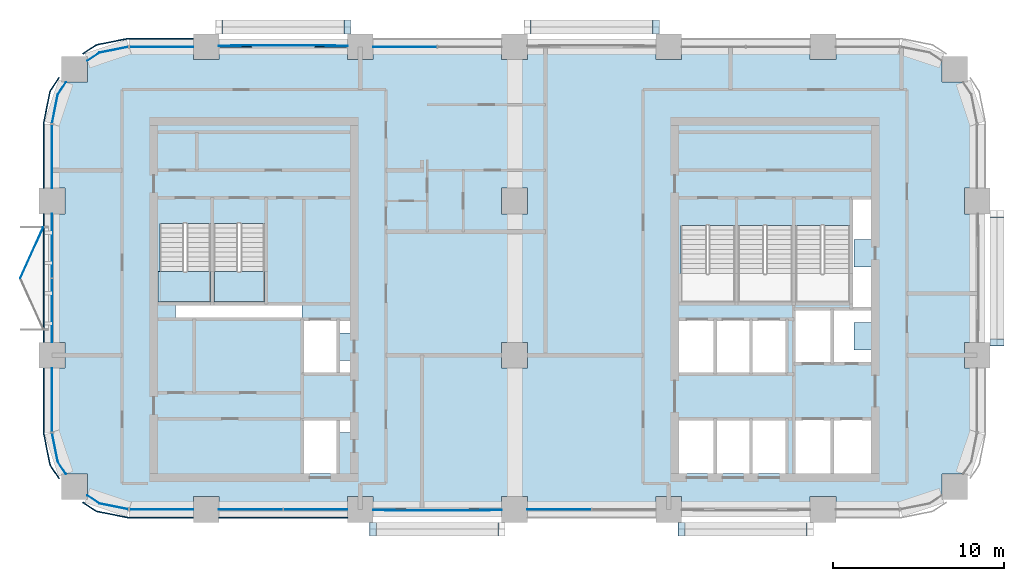
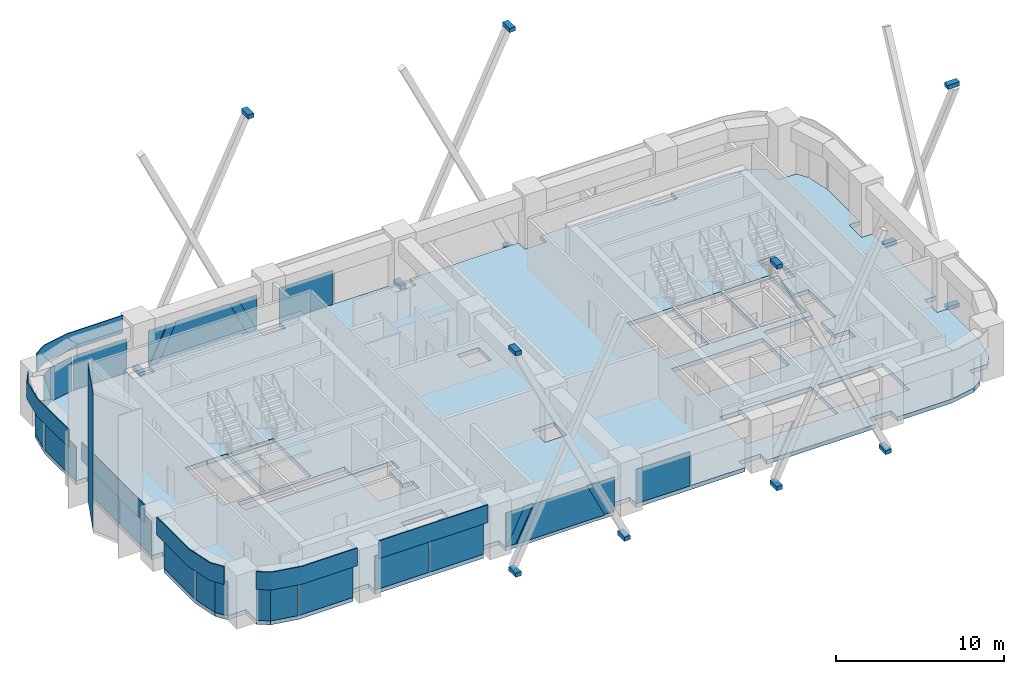
# One storey, part 6 of 13: 31 plates, 15 members, 3 slabs, 12 elements without a shape of their own.
"""IFC4 building model written with IfcOpenShell, lengths in metres."""

from ifc_helpers import new_model, si_unit, direction, frame, origin, origin_2d, place, context, subcontext, project, spatial, polyline, rectangle, outline, extrude, material, layer, layer_set, type_object, element, aggregate, save


model = new_model("IFC4")

# Units and contexts
model_context = context("Model", 3, precision=1e-05, world=origin(), true_north=direction((0.0, 1.0)))
body_context = subcontext(model_context, "Body", "Model", "MODEL_VIEW")
ifc_project = project(units=[si_unit("LENGTHUNIT", "METRE"), si_unit("AREAUNIT", "SQUARE_METRE"), si_unit("VOLUMEUNIT", "CUBIC_METRE"), si_unit("PLANEANGLEUNIT", "RADIAN"), si_unit("MASSUNIT", "GRAM", prefix="KILO")], contexts=[model_context])

# Site, building, storey
site_placement = place(None, origin())
site = spatial("IfcSite", under=ifc_project, at=site_placement, CompositionType="ELEMENT")
building_placement = place(site_placement, origin())
building = spatial("IfcBuilding", under=site, at=building_placement, Name="Tessera Arch", CompositionType="ELEMENT")
storey_placement = place(building_placement, frame((0.0, 0.0, 166.10009765625)))
storey = spatial("IfcBuildingStorey", under=building, at=storey_placement, Name="L39", CompositionType="ELEMENT", Elevation=166.10009765625)

# Members
ifc_material_1 = material(Name="Steel A572 Gr50", Category="steel")
ifc_layer_1 = layer(ifc_material_1, 0.050048828125)
ifc_layer_set_1 = layer_set([ifc_layer_1], Name="Node block Steel A572 Gr50")
member_type = type_object("IfcMemberType", Name="Node block Steel A572 Gr50", PredefinedType="PLATE", material=ifc_layer_set_1)
for number, where, z_axis, x_axis, name in (
    (1, (55.156494140625, 44.25, -1.2109375), (0.0, 0.0, 1.0), (0.0, 1.0, 0.0), "Node block seat E54.27-0 1 L39"),
    (2, (55.156494140625, 36.75, -1.2109375), (0.0, 0.0, 1.0), (0.0, 1.0, 0.0), "Node block seat E54.27-0 2 L39"),
    (3, (55.156494140625, 36.75, 14.91064453125), (0.0, 0.0, 1.0), (0.0, 1.0, 0.0), "Node block head E54.27-0 B L39"),
    (4, (27.75, 55.156494140625, -1.2109375), (0.0, 0.0, 1.0), (-1.0, 0.0, 0.0), "Node block seat N54.0-2 1 L39"),
    (5, (35.25, 55.156494140625, -1.2109375), (0.0, 0.0, 1.0), (-1.0, 0.0, 0.0), "Node block seat N54.0-2 2 L39"),
    (6, (35.25, 55.156494140625, 14.91064453125), (0.0, 0.0, 1.0), (-1.0, 0.0, 0.0), "Node block head N54.0-2 B L39"),
    (7, (9.75, 55.156494140625, -1.2109375), (0.0, 0.0, 1.0), (-1.0, 0.0, 0.0), "Node block seat N54.0-4 1 L39"),
    (8, (17.25, 55.156494140625, -1.2109375), (0.0, 0.0, 1.0), (-1.0, 0.0, 0.0), "Node block seat N54.0-4 2 L39"),
    (9, (17.25, 55.156494140625, 14.91064453125), (0.0, 0.0, 1.0), (-1.0, 0.0, 0.0), "Node block head N54.0-4 B L39"),
    (10, (26.25, 25.843505859375, -1.2109375), (0.0, 0.0, 1.0), (1.0, 0.0, 0.0), "Node block seat S27.0-2 1 L39"),
    (11, (18.75, 25.843505859375, -1.2109375), (0.0, 0.0, 1.0), (1.0, 0.0, 0.0), "Node block seat S27.0-2 2 L39"),
    (12, (18.75, 25.843505859375, 14.91064453125), (0.0, 0.0, 1.0), (1.0, 0.0, 0.0), "Node block head S27.0-2 B L39"),
    (13, (44.25, 25.843505859375, -1.2109375), (0.0, 0.0, 1.0), (1.0, 0.0, 0.0), "Node block seat S27.0-4 1 L39"),
    (14, (36.75, 25.843505859375, -1.2109375), (0.0, 0.0, 1.0), (1.0, 0.0, 0.0), "Node block seat S27.0-4 2 L39"),
    (15, (36.75, 25.843505859375, 14.91064453125), (0.0, 0.0, 1.0), (1.0, 0.0, 0.0), "Node block head S27.0-4 B L39"),
):
    element("IfcMember", number, at=place(storey_placement, frame(where, z_axis=z_axis, x_axis=x_axis)), inside=storey, type_object=member_type, Name=name, PredefinedType="PLATE", context=body_context, shape_type="SweptSolid", body=[
        extrude(rectangle(XDim=0.406494140625, YDim=0.812744140625, at=origin_2d()), origin(), (0.0, 0.0, 1.0), 0.300048828125),
    ])

# Curtain wall, plate
ifc_material_2 = material(Name="CW1 curtain wall")
curtain_wall_type_1 = type_object("IfcCurtainWallType", Name="CW1 curtain wall", PredefinedType="NOTDEFINED", material=ifc_material_2)
curtain_wall_1_placement = place(storey_placement, origin())
curtain_wall_1 = element("IfcCurtainWall", 16, at=curtain_wall_1_placement, inside=storey, type_object=curtain_wall_type_1, Name="CW1 curtain wall N54.0/3 L39", PredefinedType="NOTDEFINED")
ifc_material_3 = material(Name="Clear low-e glass", Category="glass")
ifc_material_4 = material(Name="Clear low-e glass", Category="glass")
ifc_layer_2 = layer(ifc_material_4, 0.028076171875)
ifc_layer_set_2 = layer_set([ifc_layer_2], Name="CW1 glass panel")
plate_type_1 = type_object("IfcPlateType", Name="CW1 glass panel", PredefinedType="CURTAIN_PANEL", material=ifc_layer_set_2)
plate_1_placement = place(storey_placement, frame((20.610107421875, 54.0, 0.0), z_axis=(0.0, 0.0, 1.0), x_axis=(-1.0, 0.0, 0.0)))
plate_1 = element("IfcPlate", 17, at=plate_1_placement, type_object=plate_type_1, material=ifc_material_3, Name="CW1 glass panel N54.0/3 1.2.1", PredefinedType="CURTAIN_PANEL", context=body_context, shape_type="SweptSolid", body=[
    extrude(rectangle(XDim=3.719970703125, YDim=0.028076171875, at=origin_2d()), origin(), (0.0, 0.0, 1.0), 2.5),
])
aggregate(curtain_wall_1, [plate_1])

# Curtain wall, plates
curtain_wall_2_placement = place(storey_placement, origin())
curtain_wall_2 = element("IfcCurtainWall", 18, at=curtain_wall_2_placement, inside=storey, type_object=curtain_wall_type_1, Name="CW1 curtain wall W0.27/1 L39", PredefinedType="NOTDEFINED")
plate_2_placement = place(storey_placement, frame((0.0, 42.389892578125, 0.0), z_axis=(0.0, 0.0, 1.0), x_axis=(0.0, -1.0, 0.0)))
plate_2 = element("IfcPlate", 19, at=plate_2_placement, type_object=plate_type_1, material=ifc_material_3, Name="CW1 glass panel W0.27/1 1.1.1", PredefinedType="CURTAIN_PANEL", context=body_context, shape_type="SweptSolid", body=[
    extrude(rectangle(XDim=3.719970703125, YDim=0.028076171875, at=origin_2d()), origin(), (0.0, 0.0, 1.0), 2.5),
])
plate_3_placement = place(storey_placement, frame((0.0, 38.610107421875, 0.0), z_axis=(0.0, 0.0, 1.0), x_axis=(0.0, -1.0, 0.0)))
plate_3 = element("IfcPlate", 20, at=plate_3_placement, type_object=plate_type_1, material=ifc_material_3, Name="CW1 glass panel W0.27/1 1.2.1", PredefinedType="CURTAIN_PANEL", context=body_context, shape_type="SweptSolid", body=[
    extrude(rectangle(XDim=3.719970703125, YDim=0.028076171875, at=origin_2d()), origin(), (0.0, 0.0, 1.0), 2.5),
])

curtain_wall_3_placement = place(storey_placement, origin())
curtain_wall_3 = element("IfcCurtainWall", 21, at=curtain_wall_3_placement, inside=storey, type_object=curtain_wall_type_1, Name="CW1 curtain wall S27.0/1 L39", PredefinedType="NOTDEFINED")
plate_4_placement = place(storey_placement, frame((11.610107421875, 27.0, 0.0), z_axis=(0.0, 0.0, 1.0), x_axis=(1.0, 0.0, 0.0)))
plate_4 = element("IfcPlate", 22, at=plate_4_placement, type_object=plate_type_1, material=ifc_material_3, Name="CW1 glass panel S27.0/1 1.1.1", PredefinedType="CURTAIN_PANEL", context=body_context, shape_type="SweptSolid", body=[
    extrude(rectangle(XDim=3.719970703125, YDim=0.028076171875, at=origin_2d()), origin(), (0.0, 0.0, 1.0), 2.5),
])
plate_5_placement = place(storey_placement, frame((15.389892578125, 27.0, 0.0), z_axis=(0.0, 0.0, 1.0), x_axis=(1.0, 0.0, 0.0)))
plate_5 = element("IfcPlate", 23, at=plate_5_placement, type_object=plate_type_1, material=ifc_material_3, Name="CW1 glass panel S27.0/1 1.2.1", PredefinedType="CURTAIN_PANEL", context=body_context, shape_type="SweptSolid", body=[
    extrude(rectangle(XDim=3.719970703125, YDim=0.028076171875, at=origin_2d()), origin(), (0.0, 0.0, 1.0), 2.5),
])

# Curtain wall, plate
curtain_wall_4_placement = place(storey_placement, origin())
curtain_wall_4 = element("IfcCurtainWall", 24, at=curtain_wall_4_placement, inside=storey, type_object=curtain_wall_type_1, Name="CW1 curtain wall S27.0/3 L39", PredefinedType="NOTDEFINED")
plate_6_placement = place(storey_placement, frame((29.610107421875, 27.0, 0.0), z_axis=(0.0, 0.0, 1.0), x_axis=(1.0, 0.0, 0.0)))
plate_6 = element("IfcPlate", 25, at=plate_6_placement, type_object=plate_type_1, material=ifc_material_3, Name="CW1 glass panel S27.0/3 1.1.1", PredefinedType="CURTAIN_PANEL", context=body_context, shape_type="SweptSolid", body=[
    extrude(rectangle(XDim=3.719970703125, YDim=0.028076171875, at=origin_2d()), origin(), (0.0, 0.0, 1.0), 2.5),
])
aggregate(curtain_wall_4, [plate_6])

# Plate
ifc_material_5 = material(Name="Pale anodised aluminium panel", Category="aluminium")
ifc_layer_3 = layer(ifc_material_5, 0.06005859375)
ifc_layer_set_3 = layer_set([ifc_layer_3], Name="CW1 spandrel panel")
plate_type_2 = type_object("IfcPlateType", Name="CW1 spandrel panel", PredefinedType="CURTAIN_PANEL", material=ifc_layer_set_3)
plate_7_placement = place(storey_placement, frame((-0.47998046875, 40.5, 2.60009765625), z_axis=(0.0, 0.0, 1.0), x_axis=(0.0, -1.0, 0.0)))
plate_7 = element("IfcPlate", 26, at=plate_7_placement, type_object=plate_type_2, Name="CW1 spandrel panel W0.27/1", PredefinedType="CURTAIN_PANEL", context=body_context, shape_type="SweptSolid", body=[
    extrude(rectangle(XDim=7.5, YDim=0.06005859375, at=origin_2d()), origin(), (0.0, 0.0, 1.0), 1.300048828125),
])

aggregate(curtain_wall_2, [plate_2, plate_3, plate_7])

plate_8_placement = place(storey_placement, frame((13.5, 26.52001953125, 2.60009765625), z_axis=(0.0, 0.0, 1.0), x_axis=(1.0, 0.0, 0.0)))
plate_8 = element("IfcPlate", 27, at=plate_8_placement, type_object=plate_type_2, Name="CW1 spandrel panel S27.0/1", PredefinedType="CURTAIN_PANEL", context=body_context, shape_type="SweptSolid", body=[
    extrude(rectangle(XDim=7.5, YDim=0.06005859375, at=origin_2d()), origin(), (0.0, 0.0, 1.0), 1.300048828125),
])

aggregate(curtain_wall_3, [plate_4, plate_5, plate_8])

# Curtain wall, plates
ifc_material_6 = material(Name="CW2 curtain wall")
curtain_wall_type_2 = type_object("IfcCurtainWallType", Name="CW2 curtain wall", PredefinedType="NOTDEFINED", material=ifc_material_6)
curtain_wall_5_placement = place(storey_placement, origin())
curtain_wall_5 = element("IfcCurtainWall", 28, at=curtain_wall_5_placement, inside=storey, type_object=curtain_wall_type_2, Name="CW2 curtain wall N54.0/5 L39", PredefinedType="NOTDEFINED")
ifc_material_7 = material(Name="Clear low-e glass", Category="glass")
ifc_layer_4 = layer(ifc_material_7, 0.028076171875)
ifc_layer_set_4 = layer_set([ifc_layer_4], Name="CW2 glass panel")
plate_type_3 = type_object("IfcPlateType", Name="CW2 glass panel", PredefinedType="CURTAIN_PANEL", material=ifc_layer_set_4)
plate_9_placement = place(storey_placement, frame((6.39501953125, 54.0, 0.0), z_axis=(0.0, 0.0, 1.0), x_axis=(-1.0, 0.0, 0.0)))
plate_9 = element("IfcPlate", 29, at=plate_9_placement, type_object=plate_type_3, material=ifc_material_3, Name="CW2 glass panel N54.0/5 1.1", PredefinedType="CURTAIN_PANEL", context=body_context, shape_type="SweptSolid", body=[
    extrude(rectangle(XDim=3.7099609375, YDim=0.028076171875, at=origin_2d()), origin(), (0.0, 0.0, 1.0), 2.5),
])
plate_10_placement = place(storey_placement, origin())
plate_10 = element("IfcPlate", 30, at=plate_10_placement, type_object=plate_type_3, material=ifc_material_3, Name="CW2 curved glass panel N54.0/5 2.1", PredefinedType="CURTAIN_PANEL", context=body_context, shape_type="SweptSolid", body=[
    extrude(outline(polyline([(2.783447265625, 53.644287109375), (4.46337890625, 53.978515625), (4.4580078125, 54.005859375), (2.7724609375, 53.670654296875), (2.060302734375, 53.19482421875), (2.07568359375, 53.17138671875), (2.783447265625, 53.644287109375)])), origin(), (0.0, 0.0, 1.0), 2.5),
])

curtain_wall_6_placement = place(storey_placement, origin())
curtain_wall_6 = element("IfcCurtainWall", 31, at=curtain_wall_6_placement, inside=storey, type_object=curtain_wall_type_2, Name="CW2 curtain wall W0.27/0 L39", PredefinedType="NOTDEFINED")
plate_11_placement = place(storey_placement, frame((0.0, 47.60498046875, 0.0), z_axis=(0.0, 0.0, 1.0), x_axis=(0.0, -1.0, 0.0)))
plate_11 = element("IfcPlate", 32, at=plate_11_placement, type_object=plate_type_3, material=ifc_material_3, Name="CW2 glass panel W0.27/0 1.1", PredefinedType="CURTAIN_PANEL", context=body_context, shape_type="SweptSolid", body=[
    extrude(rectangle(XDim=3.7099609375, YDim=0.028076171875, at=origin_2d()), origin(), (0.0, 0.0, 1.0), 2.5),
])
plate_12_placement = place(storey_placement, origin())
plate_12 = element("IfcPlate", 33, at=plate_12_placement, type_object=plate_type_3, material=ifc_material_3, Name="CW2 curved glass panel W0.27/0 2.1", PredefinedType="CURTAIN_PANEL", context=body_context, shape_type="SweptSolid", body=[
    extrude(outline(polyline([(0.355712890625, 51.216552734375), (0.82861328125, 51.92431640625), (0.80517578125, 51.939697265625), (0.329345703125, 51.2275390625), (-0.005859375, 49.5419921875), (0.021484375, 49.53662109375), (0.355712890625, 51.216552734375)])), origin(), (0.0, 0.0, 1.0), 2.5),
])

curtain_wall_7_placement = place(storey_placement, origin())
curtain_wall_7 = element("IfcCurtainWall", 34, at=curtain_wall_7_placement, inside=storey, type_object=curtain_wall_type_2, Name="CW2 curtain wall W0.27/2 L39", PredefinedType="NOTDEFINED")
plate_13_placement = place(storey_placement, frame((0.0, 33.39501953125, 0.0), z_axis=(0.0, 0.0, 1.0), x_axis=(0.0, -1.0, 0.0)))
plate_13 = element("IfcPlate", 35, at=plate_13_placement, type_object=plate_type_3, material=ifc_material_3, Name="CW2 glass panel W0.27/2 1.1", PredefinedType="CURTAIN_PANEL", context=body_context, shape_type="SweptSolid", body=[
    extrude(rectangle(XDim=3.7099609375, YDim=0.028076171875, at=origin_2d()), origin(), (0.0, 0.0, 1.0), 2.5),
])
plate_14_placement = place(storey_placement, origin())
plate_14 = element("IfcPlate", 36, at=plate_14_placement, type_object=plate_type_3, material=ifc_material_3, Name="CW2 curved glass panel W0.27/2 2.1", PredefinedType="CURTAIN_PANEL", context=body_context, shape_type="SweptSolid", body=[
    extrude(outline(polyline([(0.355712890625, 29.783447265625), (0.021484375, 31.46337890625), (-0.005859375, 31.4580078125), (0.329345703125, 29.7724609375), (0.80517578125, 29.060302734375), (0.82861328125, 29.07568359375), (0.355712890625, 29.783447265625)])), origin(), (0.0, 0.0, 1.0), 2.5),
])

curtain_wall_8_placement = place(storey_placement, origin())
curtain_wall_8 = element("IfcCurtainWall", 37, at=curtain_wall_8_placement, inside=storey, type_object=curtain_wall_type_2, Name="CW2 curtain wall S27.0/0 L39", PredefinedType="NOTDEFINED")
plate_15_placement = place(storey_placement, frame((6.39501953125, 27.0, 0.0), z_axis=(0.0, 0.0, 1.0), x_axis=(1.0, 0.0, 0.0)))
plate_15 = element("IfcPlate", 38, at=plate_15_placement, type_object=plate_type_3, material=ifc_material_3, Name="CW2 glass panel S27.0/0 1.1", PredefinedType="CURTAIN_PANEL", context=body_context, shape_type="SweptSolid", body=[
    extrude(rectangle(XDim=3.7099609375, YDim=0.028076171875, at=origin_2d()), origin(), (0.0, 0.0, 1.0), 2.5),
])
plate_16_placement = place(storey_placement, origin())
plate_16 = element("IfcPlate", 39, at=plate_16_placement, type_object=plate_type_3, material=ifc_material_3, Name="CW2 curved glass panel S27.0/0 2.1", PredefinedType="CURTAIN_PANEL", context=body_context, shape_type="SweptSolid", body=[
    extrude(outline(polyline([(2.783447265625, 27.355712890625), (2.07568359375, 27.82861328125), (2.060302734375, 27.80517578125), (2.7724609375, 27.329345703125), (4.4580078125, 26.994140625), (4.46337890625, 27.021484375), (2.783447265625, 27.355712890625)])), origin(), (0.0, 0.0, 1.0), 2.5),
])

# Plate
ifc_material_8 = material(Name="Pale anodised aluminium panel", Category="aluminium")
ifc_layer_5 = layer(ifc_material_8, 0.06005859375)
ifc_layer_set_5 = layer_set([ifc_layer_5], Name="CW2 spandrel panel")
plate_type_4 = type_object("IfcPlateType", Name="CW2 spandrel panel", PredefinedType="CURTAIN_PANEL", material=ifc_layer_set_5)
plate_17_placement = place(storey_placement, frame((0.0, 0.0, 2.599853515625)))
plate_17 = element("IfcPlate", 40, at=plate_17_placement, type_object=plate_type_4, Name="CW2 spandrel panel N54.0/5", PredefinedType="CURTAIN_PANEL", context=body_context, shape_type="SweptSolid", body=[
    extrude(outline(polyline([(4.500732421875, 54.449951171875), (8.25, 54.449951171875), (8.25, 54.510009765625), (4.499267578125, 54.510009765625), (4.449951171875, 54.507568359375), (4.401123046875, 54.500244140625), (2.677734375, 54.157470703125), (2.6298828125, 54.1455078125), (2.582763671875, 54.128662109375), (2.537353515625, 54.107421875), (2.4951171875, 54.08203125), (1.78466796875, 53.607177734375), (1.81787109375, 53.55712890625), (2.52734375, 54.03125), (2.565673828125, 54.054443359375), (2.605712890625, 54.0732421875), (2.647216796875, 54.088134765625), (2.69091796875, 54.09912109375), (4.411376953125, 54.441162109375), (4.455810546875, 54.44775390625), (4.500732421875, 54.449951171875)])), origin(), (0.0, 0.0, 1.0), 1.300048828125),
])

aggregate(curtain_wall_5, [plate_9, plate_10, plate_17])

plate_18_placement = place(storey_placement, frame((0.0, 0.0, 2.599853515625)))
plate_18 = element("IfcPlate", 41, at=plate_18_placement, type_object=plate_type_4, Name="CW2 spandrel panel W0.27/0", PredefinedType="CURTAIN_PANEL", context=body_context, shape_type="SweptSolid", body=[
    extrude(outline(polyline([(-0.03125, 51.47265625), (0.44287109375, 52.18212890625), (0.392822265625, 52.21533203125), (-0.08203125, 51.5048828125), (-0.107421875, 51.462646484375), (-0.128662109375, 51.417236328125), (-0.1455078125, 51.3701171875), (-0.157470703125, 51.322265625), (-0.500244140625, 49.598876953125), (-0.507568359375, 49.550048828125), (-0.510009765625, 49.500732421875), (-0.510009765625, 45.75), (-0.449951171875, 45.75), (-0.449951171875, 49.499267578125), (-0.44775390625, 49.544189453125), (-0.441162109375, 49.588623046875), (-0.09912109375, 51.30908203125), (-0.088134765625, 51.352783203125), (-0.0732421875, 51.394287109375), (-0.054443359375, 51.434326171875), (-0.03125, 51.47265625)])), origin(), (0.0, 0.0, 1.0), 1.300048828125),
])

aggregate(curtain_wall_6, [plate_11, plate_12, plate_18])

plate_19_placement = place(storey_placement, frame((0.0, 0.0, 2.599853515625)))
plate_19 = element("IfcPlate", 42, at=plate_19_placement, type_object=plate_type_4, Name="CW2 spandrel panel W0.27/2", PredefinedType="CURTAIN_PANEL", context=body_context, shape_type="SweptSolid", body=[
    extrude(outline(polyline([(-0.449951171875, 31.500732421875), (-0.449951171875, 35.25), (-0.510009765625, 35.25), (-0.510009765625, 31.499267578125), (-0.507568359375, 31.449951171875), (-0.500244140625, 31.401123046875), (-0.157470703125, 29.677734375), (-0.1455078125, 29.6298828125), (-0.128662109375, 29.582763671875), (-0.107421875, 29.537353515625), (-0.08203125, 29.4951171875), (0.392822265625, 28.78466796875), (0.44287109375, 28.81787109375), (-0.03125, 29.52734375), (-0.054443359375, 29.565673828125), (-0.0732421875, 29.605712890625), (-0.088134765625, 29.647216796875), (-0.09912109375, 29.69091796875), (-0.441162109375, 31.411376953125), (-0.44775390625, 31.455810546875), (-0.449951171875, 31.500732421875)])), origin(), (0.0, 0.0, 1.0), 1.300048828125),
])

aggregate(curtain_wall_7, [plate_13, plate_14, plate_19])

plate_20_placement = place(storey_placement, frame((0.0, 0.0, 2.599853515625)))
plate_20 = element("IfcPlate", 43, at=plate_20_placement, type_object=plate_type_4, Name="CW2 spandrel panel S27.0/0", PredefinedType="CURTAIN_PANEL", context=body_context, shape_type="SweptSolid", body=[
    extrude(outline(polyline([(2.52734375, 26.96875), (1.81787109375, 27.44287109375), (1.78466796875, 27.392822265625), (2.4951171875, 26.91796875), (2.537353515625, 26.892578125), (2.582763671875, 26.871337890625), (2.6298828125, 26.8544921875), (2.677734375, 26.842529296875), (4.401123046875, 26.499755859375), (4.449951171875, 26.492431640625), (4.499267578125, 26.489990234375), (8.25, 26.489990234375), (8.25, 26.550048828125), (4.500732421875, 26.550048828125), (4.455810546875, 26.55224609375), (4.411376953125, 26.558837890625), (2.69091796875, 26.90087890625), (2.647216796875, 26.911865234375), (2.605712890625, 26.9267578125), (2.565673828125, 26.945556640625), (2.52734375, 26.96875)])), origin(), (0.0, 0.0, 1.0), 1.300048828125),
])

aggregate(curtain_wall_8, [plate_15, plate_16, plate_20])

# Curtain wall, plates
ifc_material_9 = material(Name="CW3 curtain wall")
curtain_wall_type_3 = type_object("IfcCurtainWallType", Name="CW3 curtain wall", PredefinedType="NOTDEFINED", material=ifc_material_9)
curtain_wall_9_placement = place(storey_placement, origin())
curtain_wall_9 = element("IfcCurtainWall", 44, at=curtain_wall_9_placement, inside=storey, type_object=curtain_wall_type_3, Name="CW3 curtain wall N54.0/4 L39", PredefinedType="NOTDEFINED")
ifc_material_10 = material(Name="Pale anodised aluminium panel", Category="aluminium")
ifc_layer_6 = layer(ifc_material_10, 0.06005859375)
ifc_layer_set_6 = layer_set([ifc_layer_6], Name="CW3 diagonal panel")
plate_type_5 = type_object("IfcPlateType", Name="CW3 diagonal panel", PredefinedType="CURTAIN_PANEL", material=ifc_layer_set_6)
plate_21_placement = place(storey_placement, frame((11.016357421875, 54.030029296875, 2.5), z_axis=(0.0, 1.0, 0.0), x_axis=(1.0, 0.0, 0.0)))
plate_21 = element("IfcPlate", 45, at=plate_21_placement, type_object=plate_type_5, Name="CW3 diagonal panel N54.0/4 1", PredefinedType="CURTAIN_PANEL", context=body_context, shape_type="SweptSolid", body=[
    extrude(outline(polyline([(0.0, 0.0), (0.640380859375, 0.0), (-0.5615234375, 2.5), (-1.201904296875, 2.5), (0.0, 0.0)])), origin(), (0.0, 0.0, -1.0), 0.06005859375),
])
plate_22_placement = place(storey_placement, frame((15.34326171875, 54.030029296875, 2.5), z_axis=(0.0, 1.0, 0.0), x_axis=(1.0, 0.0, 0.0)))
plate_22 = element("IfcPlate", 46, at=plate_22_placement, type_object=plate_type_5, Name="CW3 diagonal panel N54.0/4 2", PredefinedType="CURTAIN_PANEL", context=body_context, shape_type="SweptSolid", body=[
    extrude(outline(polyline([(0.0, 0.0), (0.640380859375, 0.0), (1.84228515625, 2.5), (1.201904296875, 2.5), (0.0, 0.0)])), origin(), (0.0, 0.0, -1.0), 0.06005859375),
])

curtain_wall_10_placement = place(storey_placement, origin())
curtain_wall_10 = element("IfcCurtainWall", 47, at=curtain_wall_10_placement, inside=storey, type_object=curtain_wall_type_3, Name="CW3 curtain wall S27.0/2 L39", PredefinedType="NOTDEFINED")
plate_23_placement = place(storey_placement, frame((24.983642578125, 26.969970703125, 2.5), z_axis=(0.0, -1.0, 0.0), x_axis=(-1.0, 0.0, 0.0)))
plate_23 = element("IfcPlate", 48, at=plate_23_placement, type_object=plate_type_5, Name="CW3 diagonal panel S27.0/2 1", PredefinedType="CURTAIN_PANEL", context=body_context, shape_type="SweptSolid", body=[
    extrude(outline(polyline([(0.0, 0.0), (0.640380859375, 0.0), (-0.5615234375, 2.5), (-1.201904296875, 2.5), (0.0, 0.0)])), origin(), (0.0, 0.0, -1.0), 0.06005859375),
])
plate_24_placement = place(storey_placement, frame((20.65673828125, 26.969970703125, 2.5), z_axis=(0.0, -1.0, 0.0), x_axis=(-1.0, 0.0, 0.0)))
plate_24 = element("IfcPlate", 49, at=plate_24_placement, type_object=plate_type_5, Name="CW3 diagonal panel S27.0/2 2", PredefinedType="CURTAIN_PANEL", context=body_context, shape_type="SweptSolid", body=[
    extrude(outline(polyline([(0.0, 0.0), (0.640380859375, 0.0), (1.84228515625, 2.5), (1.201904296875, 2.5), (0.0, 0.0)])), origin(), (0.0, 0.0, -1.0), 0.06005859375),
])

# Plate
ifc_material_11 = material(Name="Clear low-e glass", Category="glass")
ifc_layer_7 = layer(ifc_material_11, 0.028076171875)
ifc_layer_set_7 = layer_set([ifc_layer_7], Name="CW3 glass panel")
plate_type_6 = type_object("IfcPlateType", Name="CW3 glass panel", PredefinedType="CURTAIN_PANEL", material=ifc_layer_set_7)
plate_25_placement = place(storey_placement, frame((17.25, 54.05810546875, 0.0), z_axis=(0.0, 1.0, 0.0), x_axis=(-1.0, 0.0, 0.0)))
plate_25 = element("IfcPlate", 50, at=plate_25_placement, type_object=plate_type_6, material=ifc_material_3, Name="CW3 triangulated glass panel N54.0/4 1", PredefinedType="CURTAIN_PANEL", context=body_context, shape_type="SweptSolid", body=[
    extrude(outline(polyline([(0.0, 0.0), (0.064453125, 0.0), (1.266357421875, 2.5), (0.0, 2.5), (0.0, 0.0)])), origin(), (0.0, 0.0, -1.0), 0.028076171875),
])

plate_26_placement = place(storey_placement, frame((11.65673828125, 54.0859375, 2.5), z_axis=(0.0, 1.0, 0.0), x_axis=(1.0, 0.0, 0.0)))
plate_26 = element("IfcPlate", 51, at=plate_26_placement, type_object=plate_type_6, material=ifc_material_3, Name="CW3 triangulated glass panel N54.0/4 2", PredefinedType="CURTAIN_PANEL", context=body_context, shape_type="SweptSolid", body=[
    extrude(outline(polyline([(0.0, 0.0), (3.6865234375, 0.0), (4.888427734375, 2.5), (-1.201904296875, 2.5), (0.0, 0.0)])), origin(), (0.0, 0.0, -1.0), 0.028076171875),
])

plate_27_placement = place(storey_placement, frame((9.75, 54.05810546875, 2.5), z_axis=(0.0, 1.0, 0.0), x_axis=(1.0, 0.0, 0.0)))
plate_27 = element("IfcPlate", 52, at=plate_27_placement, type_object=plate_type_6, material=ifc_material_3, Name="CW3 triangulated glass panel N54.0/4 3", PredefinedType="CURTAIN_PANEL", context=body_context, shape_type="SweptSolid", body=[
    extrude(outline(polyline([(0.0, 0.0), (1.266357421875, 0.0), (0.064453125, 2.5), (0.0, 2.5), (0.0, 0.0)])), origin(), (0.0, 0.0, -1.0), 0.028076171875),
])

aggregate(curtain_wall_9, [plate_25, plate_26, plate_27, plate_21, plate_22])

plate_28_placement = place(storey_placement, frame((18.75, 26.94189453125, 0.0), z_axis=(0.0, -1.0, 0.0), x_axis=(1.0, 0.0, 0.0)))
plate_28 = element("IfcPlate", 53, at=plate_28_placement, type_object=plate_type_6, material=ifc_material_3, Name="CW3 triangulated glass panel S27.0/2 1", PredefinedType="CURTAIN_PANEL", context=body_context, shape_type="SweptSolid", body=[
    extrude(outline(polyline([(0.0, 0.0), (0.064453125, 0.0), (1.266357421875, 2.5), (0.0, 2.5), (0.0, 0.0)])), origin(), (0.0, 0.0, -1.0), 0.028076171875),
])

plate_29_placement = place(storey_placement, frame((24.34326171875, 26.9140625, 2.5), z_axis=(0.0, -1.0, 0.0), x_axis=(-1.0, 0.0, 0.0)))
plate_29 = element("IfcPlate", 54, at=plate_29_placement, type_object=plate_type_6, material=ifc_material_3, Name="CW3 triangulated glass panel S27.0/2 2", PredefinedType="CURTAIN_PANEL", context=body_context, shape_type="SweptSolid", body=[
    extrude(outline(polyline([(0.0, 0.0), (3.6865234375, 0.0), (4.888427734375, 2.5), (-1.201904296875, 2.5), (0.0, 0.0)])), origin(), (0.0, 0.0, -1.0), 0.028076171875),
])

plate_30_placement = place(storey_placement, frame((26.25, 26.94189453125, 2.5), z_axis=(0.0, -1.0, 0.0), x_axis=(-1.0, 0.0, 0.0)))
plate_30 = element("IfcPlate", 55, at=plate_30_placement, type_object=plate_type_6, material=ifc_material_3, Name="CW3 triangulated glass panel S27.0/2 3", PredefinedType="CURTAIN_PANEL", context=body_context, shape_type="SweptSolid", body=[
    extrude(outline(polyline([(0.0, 0.0), (1.266357421875, 0.0), (0.064453125, 2.5), (0.0, 2.5), (0.0, 0.0)])), origin(), (0.0, 0.0, -1.0), 0.028076171875),
])

aggregate(curtain_wall_10, [plate_28, plate_29, plate_30, plate_23, plate_24])

# Slab
ifc_material_12 = material(Name="Concrete C40/50", Category="concrete")
ifc_layer_8 = layer(ifc_material_12, 0.300048828125)
ifc_layer_set_8 = layer_set([ifc_layer_8], Name="Floor slab 300 Concrete C40/50")
slab_type_1 = type_object("IfcSlabType", Name="Floor slab 300 Concrete C40/50", PredefinedType="FLOOR", material=ifc_layer_set_8)
slab_1_placement = place(storey_placement, frame((0.0, 0.0, -0.300048828125)))
element("IfcSlab", 56, at=slab_1_placement, inside=storey, type_object=slab_type_1, Name="Floor slab L39 1", PredefinedType="FLOOR", context=body_context, shape_type="SweptSolid", body=[
    extrude(outline(polyline([(54.0, 31.5), (53.657470703125, 29.77783203125), (53.18310546875, 29.068115234375), (51.931884765625, 29.068115234375), (51.931884765625, 27.81689453125), (51.22216796875, 27.342529296875), (49.5, 27.0), (45.75, 27.0), (45.75, 27.75), (44.25, 27.75), (44.25, 27.0), (36.75, 27.0), (36.75, 27.75), (35.25, 27.75), (35.25, 27.0), (27.75, 27.0), (27.75, 27.75), (26.25, 27.75), (26.25, 27.0), (18.75, 27.0), (18.75, 27.75), (17.25, 27.75), (17.25, 27.0), (9.75, 27.0), (9.75, 27.75), (8.25, 27.75), (8.25, 27.0), (4.5, 27.0), (2.77783203125, 27.342529296875), (2.068115234375, 27.81689453125), (2.068115234375, 29.068115234375), (0.81689453125, 29.068115234375), (0.342529296875, 29.77783203125), (0.0, 31.5), (0.0, 35.25), (0.75, 35.25), (0.75, 36.75), (0.0, 36.75), (0.0, 44.25), (0.75, 44.25), (0.75, 45.75), (0.0, 45.75), (0.0, 49.5), (0.342529296875, 51.22216796875), (0.81689453125, 51.931884765625), (2.068115234375, 51.931884765625), (2.068115234375, 53.18310546875), (2.77783203125, 53.657470703125), (4.5, 54.0), (8.25, 54.0), (8.25, 53.25), (9.75, 53.25), (9.75, 54.0), (17.25, 54.0), (17.25, 53.25), (18.75, 53.25), (18.75, 54.0), (26.25, 54.0), (26.25, 53.25), (27.75, 53.25), (27.75, 54.0), (35.25, 54.0), (35.25, 53.25), (36.75, 53.25), (36.75, 54.0), (44.25, 54.0), (44.25, 53.25), (45.75, 53.25), (45.75, 54.0), (49.5, 54.0), (51.22216796875, 53.657470703125), (51.931884765625, 53.18310546875), (51.931884765625, 51.931884765625), (53.18310546875, 51.931884765625), (53.657470703125, 51.22216796875), (54.0, 49.5), (54.0, 45.75), (53.25, 45.75), (53.25, 44.25), (54.0, 44.25), (54.0, 36.75), (53.25, 36.75), (53.25, 35.25), (54.0, 35.25), (54.0, 31.5)]), holes=[polyline([(14.60009765625, 29.10009765625), (16.699951171875, 29.10009765625), (16.699951171875, 31.5), (17.39990234375, 31.5), (17.39990234375, 32.300048828125), (16.699951171875, 32.300048828125), (14.60009765625, 32.300048828125), (14.60009765625, 29.10009765625)]), polyline([(26.25, 36.75), (26.25, 35.25), (27.75, 35.25), (27.75, 36.75), (26.25, 36.75)]), polyline([(17.39990234375, 37.300048828125), (17.39990234375, 38.10009765625), (16.699951171875, 38.10009765625), (14.60498046875, 38.10009765625), (14.60498046875, 38.10498046875), (14.60009765625, 38.10498046875), (14.60009765625, 39.0), (7.199951171875, 39.0), (7.199951171875, 38.10009765625), (14.594970703125, 38.10009765625), (14.594970703125, 38.094970703125), (14.60009765625, 38.094970703125), (14.60009765625, 34.89990234375), (16.699951171875, 34.89990234375), (17.39990234375, 34.89990234375), (17.39990234375, 35.699951171875), (16.699951171875, 35.699951171875), (16.699951171875, 37.300048828125), (17.39990234375, 37.300048828125)]), polyline([(6.300048828125, 43.68994140625), (6.300048828125, 39.199951171875), (9.25, 39.199951171875), (9.25, 43.68994140625), (7.85009765625, 43.68994140625), (7.85009765625, 43.699951171875), (7.699951171875, 43.699951171875), (7.699951171875, 43.68994140625), (6.300048828125, 43.68994140625)]), polyline([(9.449951171875, 39.199951171875), (12.39990234375, 39.199951171875), (12.39990234375, 43.68994140625), (11.0, 43.68994140625), (11.0, 43.699951171875), (10.85009765625, 43.699951171875), (10.85009765625, 43.68994140625), (9.449951171875, 43.68994140625), (9.449951171875, 39.199951171875)]), polyline([(38.699951171875, 29.10009765625), (40.800048828125, 29.10009765625), (42.89990234375, 29.10009765625), (42.89990234375, 32.300048828125), (40.800048828125, 32.300048828125), (38.699951171875, 32.300048828125), (36.60009765625, 32.300048828125), (36.60009765625, 29.10009765625), (38.699951171875, 29.10009765625)]), polyline([(45.550048828125, 32.300048828125), (43.300048828125, 32.300048828125), (43.300048828125, 29.10009765625), (45.550048828125, 29.10009765625), (47.800048828125, 29.10009765625), (47.800048828125, 32.300048828125), (45.550048828125, 32.300048828125)]), polyline([(40.800048828125, 34.89990234375), (42.89990234375, 34.89990234375), (42.89990234375, 38.10009765625), (40.800048828125, 38.10009765625), (38.699951171875, 38.10009765625), (36.60009765625, 38.10009765625), (36.60009765625, 34.89990234375), (38.699951171875, 34.89990234375), (40.800048828125, 34.89990234375)]), polyline([(47.800048828125, 42.75), (47.800048828125, 45.199951171875), (46.64990234375, 45.199951171875), (46.64990234375, 38.699951171875), (45.550048828125, 38.699951171875), (43.300048828125, 38.699951171875), (43.300048828125, 35.5), (45.550048828125, 35.5), (47.800048828125, 35.5), (47.800048828125, 36.300048828125), (46.800048828125, 36.300048828125), (46.800048828125, 37.89990234375), (47.800048828125, 37.89990234375), (47.800048828125, 38.699951171875), (47.800048828125, 41.14990234375), (46.800048828125, 41.14990234375), (46.800048828125, 42.75), (47.800048828125, 42.75)]), polyline([(36.699951171875, 39.199951171875), (39.85009765625, 39.199951171875), (39.85009765625, 43.570068359375), (38.330078125, 43.570068359375), (38.330078125, 43.580078125), (38.219970703125, 43.580078125), (38.219970703125, 43.570068359375), (36.699951171875, 43.570068359375), (36.699951171875, 39.199951171875)]), polyline([(40.050048828125, 39.199951171875), (43.199951171875, 39.199951171875), (43.199951171875, 43.570068359375), (41.679931640625, 43.570068359375), (41.679931640625, 43.580078125), (41.570068359375, 43.580078125), (41.570068359375, 43.570068359375), (40.050048828125, 43.570068359375), (40.050048828125, 39.199951171875)]), polyline([(43.39990234375, 43.570068359375), (43.39990234375, 39.199951171875), (46.550048828125, 39.199951171875), (46.550048828125, 43.570068359375), (45.030029296875, 43.570068359375), (45.030029296875, 43.580078125), (44.919921875, 43.580078125), (44.919921875, 43.570068359375), (43.39990234375, 43.570068359375)]), polyline([(26.25, 45.75), (26.25, 44.25), (27.75, 44.25), (27.75, 45.75), (26.25, 45.75)])]), origin(), (0.0, 0.0, 1.0), 0.300048828125),
])

# Stair, slab
ifc_material_13 = material(Name="Concrete C40/50", Category="concrete")
stair_type = type_object("IfcStairType", Name="Dogleg stair 1400", PredefinedType="HALF_TURN_STAIR", material=ifc_material_13)
stair_1_placement = place(storey_placement, origin())
stair_1 = element("IfcStair", 57, at=stair_1_placement, inside=storey, type_object=stair_type, Name="L39 S2a", PredefinedType="HALF_TURN_STAIR")
ifc_material_14 = material(Name="Concrete C40/50", Category="concrete")
ifc_layer_9 = layer(ifc_material_14, 0.300048828125)
ifc_layer_set_9 = layer_set([ifc_layer_9], Name="Stair landing 300")
slab_type_2 = type_object("IfcSlabType", Name="Stair landing 300", PredefinedType="LANDING", material=ifc_layer_set_9)
slab_2_placement = place(storey_placement, frame((0.0, 0.0, 1.75)))
slab_2 = element("IfcSlab", 58, at=slab_2_placement, type_object=slab_type_2, Name="S2a landing 1", PredefinedType="LANDING", context=body_context, shape_type="SweptSolid", body=[
    extrude(outline(polyline([(6.199951171875, 40.89990234375), (6.199951171875, 39.10009765625), (9.25, 39.10009765625), (9.25, 40.89990234375), (6.199951171875, 40.89990234375)])), origin(), (0.0, 0.0, 1.0), 0.199951171875),
])
aggregate(stair_1, [slab_2])

stair_2_placement = place(storey_placement, origin())
stair_2 = element("IfcStair", 59, at=stair_2_placement, inside=storey, type_object=stair_type, Name="L39 S2b", PredefinedType="HALF_TURN_STAIR")
slab_3_placement = place(storey_placement, frame((0.0, 0.0, 1.75)))
slab_3 = element("IfcSlab", 60, at=slab_3_placement, type_object=slab_type_2, Name="S2b landing 1", PredefinedType="LANDING", context=body_context, shape_type="SweptSolid", body=[
    extrude(outline(polyline([(9.449951171875, 40.89990234375), (9.449951171875, 39.10009765625), (12.39990234375, 39.10009765625), (12.39990234375, 40.89990234375), (9.449951171875, 40.89990234375)])), origin(), (0.0, 0.0, 1.0), 0.199951171875),
])
aggregate(stair_2, [slab_3])

# Plate
ifc_material_15 = material(Name="Clear low-e glass", Category="glass")
ifc_layer_10 = layer(ifc_material_15, 0.028076171875)
ifc_layer_set_10 = layer_set([ifc_layer_10], Name="Window box glass facet")
plate_type_7 = type_object("IfcPlateType", Name="Window box glass facet", PredefinedType="SHEET", material=ifc_layer_set_10)
plate_31_placement = place(storey_placement, frame((-1.179931640625, 41.97509765625, 0.219970703125), z_axis=(0.0, 0.0, 1.0), x_axis=(-0.413570397858, -0.910472144558, 0.0)))
element("IfcPlate", 61, at=plate_31_placement, inside=storey, type_object=plate_type_7, Name="Window box W0.27/1.0 2x3 glass", PredefinedType="SHEET", context=body_context, shape_type="SweptSolid", body=[
    extrude(rectangle(XDim=3.239990234375, YDim=0.028076171875, at=origin_2d()), origin(), (0.0, 0.0, 1.0), 9.9599609375),
])

save(model, "model.ifc")
